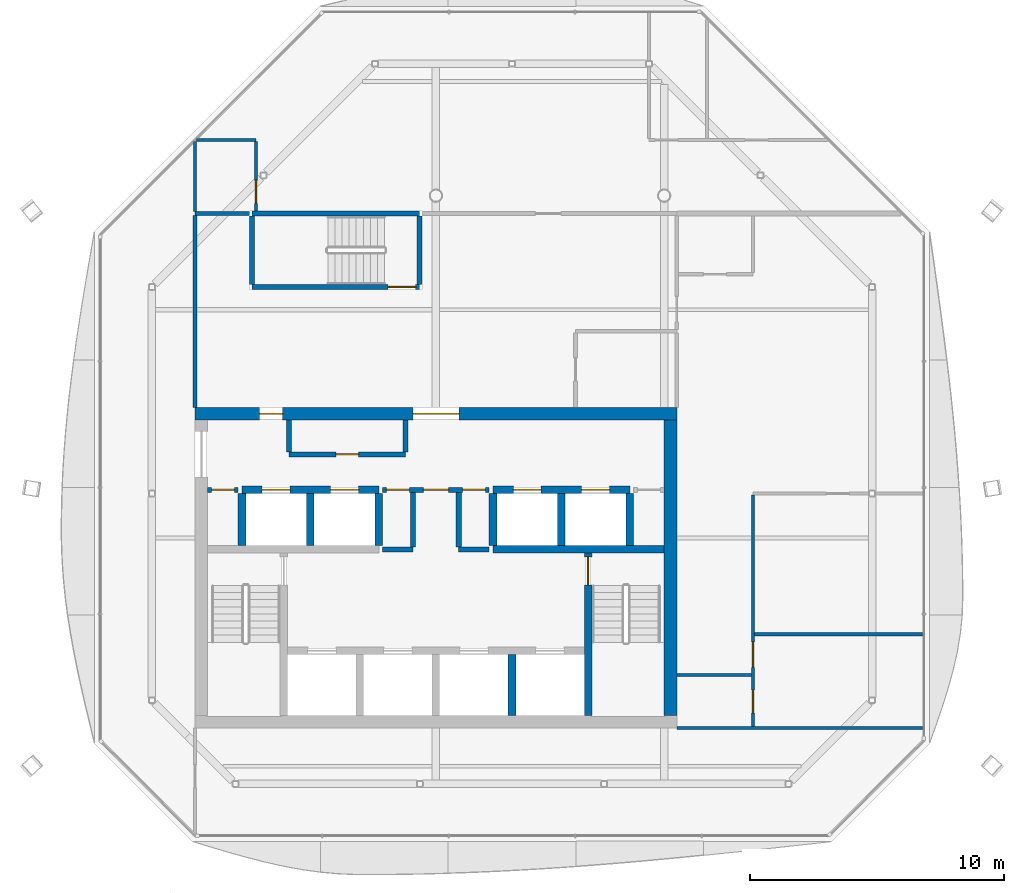
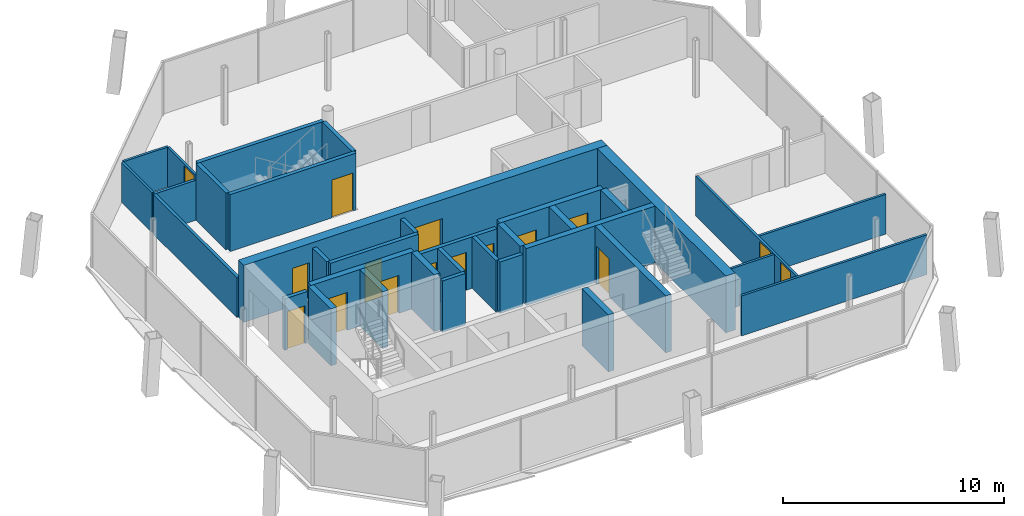
# One storey, part 10 of 14: 35 walls, 16 doors, 16 openings.
"""IFC4 building model written with IfcOpenShell, lengths in metres."""

from ifc_helpers import new_model, si_unit, direction, frame, frame_2d, origin, place, context, subcontext, project, spatial, rectangle, extrude, material, layer, layer_set, type_object, element, fill, save


model = new_model("IFC4")

# Units and contexts
model_context = context("Model", 3, precision=1e-05, world=origin(), true_north=direction((0.0, 1.0)))
body_context = subcontext(model_context, "Body", "Model", "MODEL_VIEW")
ifc_project = project(units=[si_unit("LENGTHUNIT", "METRE"), si_unit("AREAUNIT", "SQUARE_METRE"), si_unit("VOLUMEUNIT", "CUBIC_METRE"), si_unit("PLANEANGLEUNIT", "RADIAN"), si_unit("MASSUNIT", "GRAM", prefix="KILO")], contexts=[model_context])

# Site, building, storey
site_placement = place(None, origin())
site = spatial("IfcSite", under=ifc_project, at=site_placement, CompositionType="ELEMENT")
building_placement = place(site_placement, origin())
building = spatial("IfcBuilding", under=site, at=building_placement, Name="Tskaro Facet Tower", CompositionType="ELEMENT")
storey_placement = place(building_placement, frame((0.0, 0.0, 275.25)))
storey = spatial("IfcBuildingStorey", under=building, at=storey_placement, Name="L73", CompositionType="ELEMENT", Elevation=275.25)

# Wall
ifc_material_1 = material(Name="Concrete C60/75", Category="concrete")
ifc_layer_1 = layer(ifc_material_1, 0.300048828125, Name="Concrete C60/75")
ifc_layer_set_1 = layer_set([ifc_layer_1], Name="Concrete C60/75")
wall_type_1 = type_object("IfcWallType", Name="CORE-SHAFT", PredefinedType="SHEAR", material=ifc_layer_set_1)
wall_1_placement = place(storey_placement, frame((2.25, -4.949951171875, 0.0), z_axis=(0.0, 0.0, 1.0), x_axis=(1.0, 0.0, 0.0)))
element("IfcWall", 1, at=wall_1_placement, inside=storey, type_object=wall_type_1, Name="Shaft wall W008", PredefinedType="SHEAR", context=body_context, shape_type="SweptSolid", body=[
    extrude(rectangle(XDim=6.75, YDim=0.300048828125, at=frame_2d((3.375, 0.0))), origin(), (0.0, 0.0, 1.0), 3.14990234375),
])

# Wall, openings, doors
wall_2_placement = place(storey_placement, frame((-7.64990234375, -2.60009765625, 0.0), z_axis=(0.0, 0.0, 1.0), x_axis=(1.0, 0.0, 0.0)))
wall_2 = element("IfcWall", 2, at=wall_2_placement, inside=storey, type_object=wall_type_1, Name="Shaft wall W012", PredefinedType="SHEAR", context=body_context, shape_type="SweptSolid", body=[
    extrude(rectangle(XDim=5.39990234375, YDim=0.300048828125, at=frame_2d((2.699951171875, 0.0))), origin(), (0.0, 0.0, 1.0), 3.14990234375),
])
opening_1_placement = place(wall_2_placement, frame((0.800048828125, 0.0, 0.0)))
opening_1 = element("IfcOpeningElement", 3, at=opening_1_placement, cuts=wall_2, Name="Opening LD-HB1", PredefinedType="OPENING", context=body_context, shape_type="SweptSolid", body=[
    extrude(rectangle(XDim=1.10009765625, YDim=2.10009765625, at=frame_2d((0.550048828125, 1.050048828125))), frame((0.0, 0.159912109375, 0.0), z_axis=(0.0, -1.0, 0.0), x_axis=(1.0, 0.0, 0.0)), (0.0, 0.0, 1.0), 0.320068359375),
])
opening_2_placement = place(wall_2_placement, frame((3.5, 0.0, 0.0)))
opening_2 = element("IfcOpeningElement", 4, at=opening_2_placement, cuts=wall_2, Name="Opening LD-HB2", PredefinedType="OPENING", context=body_context, shape_type="SweptSolid", body=[
    extrude(rectangle(XDim=1.10009765625, YDim=2.10009765625, at=frame_2d((0.550048828125, 1.050048828125))), frame((0.0, 0.159912109375, 0.0), z_axis=(0.0, -1.0, 0.0), x_axis=(1.0, 0.0, 0.0)), (0.0, 0.0, 1.0), 0.320068359375),
])
ifc_material_2 = material(Name="Stainless steel", Category="steel")
door_type_1 = type_object("IfcDoorType", Name="D-LANDING", OperationType="NOTDEFINED", PredefinedType="DOOR", material=ifc_material_2)
door_1_placement = place(opening_1_placement, origin())
door_1 = element("IfcDoor", 5, at=door_1_placement, inside=storey, type_object=door_type_1, Name="Landing door HB1", OperationType="DOUBLE_DOOR_SLIDING", OverallHeight=2.10009765625, OverallWidth=1.10009765625, PredefinedType="DOOR", context=body_context, shape_type="SweptSolid", body=[
    extrude(rectangle(XDim=1.10009765625, YDim=2.10009765625, at=frame_2d((0.550048828125, 1.050048828125))), frame((0.0, 0.02490234375, 0.0), z_axis=(0.0, -1.0, 0.0), x_axis=(1.0, 0.0, 0.0)), (0.0, 0.0, 1.0), 0.050048828125),
])
fill(opening_1, door_1)
door_2_placement = place(opening_2_placement, origin())
door_2 = element("IfcDoor", 6, at=door_2_placement, inside=storey, type_object=door_type_1, Name="Landing door HB2", OperationType="DOUBLE_DOOR_SLIDING", OverallHeight=2.10009765625, OverallWidth=1.10009765625, PredefinedType="DOOR", context=body_context, shape_type="SweptSolid", body=[
    extrude(rectangle(XDim=1.10009765625, YDim=2.10009765625, at=frame_2d((0.550048828125, 1.050048828125))), frame((0.0, 0.02490234375, 0.0), z_axis=(0.0, -1.0, 0.0), x_axis=(1.0, 0.0, 0.0)), (0.0, 0.0, 1.0), 0.050048828125),
])
fill(opening_2, door_2)

wall_3_placement = place(storey_placement, frame((2.25, -2.60009765625, 0.0), z_axis=(0.0, 0.0, 1.0), x_axis=(1.0, 0.0, 0.0)))
wall_3 = element("IfcWall", 7, at=wall_3_placement, inside=storey, type_object=wall_type_1, Name="Shaft wall W014", PredefinedType="SHEAR", context=body_context, shape_type="SweptSolid", body=[
    extrude(rectangle(XDim=5.39990234375, YDim=0.300048828125, at=frame_2d((2.699951171875, 0.0))), origin(), (0.0, 0.0, 1.0), 3.14990234375),
])
opening_3_placement = place(wall_3_placement, frame((0.800048828125, 0.0, 0.0)))
opening_3 = element("IfcOpeningElement", 8, at=opening_3_placement, cuts=wall_3, Name="Opening LD-HB3", PredefinedType="OPENING", context=body_context, shape_type="SweptSolid", body=[
    extrude(rectangle(XDim=1.10009765625, YDim=2.10009765625, at=frame_2d((0.550048828125, 1.050048828125))), frame((0.0, 0.159912109375, 0.0), z_axis=(0.0, -1.0, 0.0), x_axis=(1.0, 0.0, 0.0)), (0.0, 0.0, 1.0), 0.320068359375),
])
opening_4_placement = place(wall_3_placement, frame((3.5, 0.0, 0.0)))
opening_4 = element("IfcOpeningElement", 9, at=opening_4_placement, cuts=wall_3, Name="Opening LD-HB4", PredefinedType="OPENING", context=body_context, shape_type="SweptSolid", body=[
    extrude(rectangle(XDim=1.10009765625, YDim=2.10009765625, at=frame_2d((0.550048828125, 1.050048828125))), frame((0.0, 0.159912109375, 0.0), z_axis=(0.0, -1.0, 0.0), x_axis=(1.0, 0.0, 0.0)), (0.0, 0.0, 1.0), 0.320068359375),
])
door_3_placement = place(opening_3_placement, origin())
door_3 = element("IfcDoor", 10, at=door_3_placement, inside=storey, type_object=door_type_1, Name="Landing door HB3", OperationType="DOUBLE_DOOR_SLIDING", OverallHeight=2.10009765625, OverallWidth=1.10009765625, PredefinedType="DOOR", context=body_context, shape_type="SweptSolid", body=[
    extrude(rectangle(XDim=1.10009765625, YDim=2.10009765625, at=frame_2d((0.550048828125, 1.050048828125))), frame((0.0, 0.02490234375, 0.0), z_axis=(0.0, -1.0, 0.0), x_axis=(1.0, 0.0, 0.0)), (0.0, 0.0, 1.0), 0.050048828125),
])
fill(opening_3, door_3)
door_4_placement = place(opening_4_placement, origin())
door_4 = element("IfcDoor", 11, at=door_4_placement, inside=storey, type_object=door_type_1, Name="Landing door HB4", OperationType="DOUBLE_DOOR_SLIDING", OverallHeight=2.10009765625, OverallWidth=1.10009765625, PredefinedType="DOOR", context=body_context, shape_type="SweptSolid", body=[
    extrude(rectangle(XDim=1.10009765625, YDim=2.10009765625, at=frame_2d((0.550048828125, 1.050048828125))), frame((0.0, 0.02490234375, 0.0), z_axis=(0.0, -1.0, 0.0), x_axis=(1.0, 0.0, 0.0)), (0.0, 0.0, 1.0), 0.050048828125),
])
fill(opening_4, door_4)

# Walls
for number, where, z_axis, x_axis, name in (
    (12, (-7.64990234375, -4.800048828125, 0.0), (0.0, 0.0, 1.0), (0.0, 1.0, 0.0), "Shaft wall W029"),
    (13, (-4.949951171875, -4.800048828125, 0.0), (0.0, 0.0, 1.0), (0.0, 1.0, 0.0), "Shaft wall W034"),
    (14, (-2.25, -4.800048828125, 0.0), (0.0, 0.0, 1.0), (0.0, 1.0, 0.0), "Shaft wall W036"),
    (15, (2.25, -4.800048828125, 0.0), (0.0, 0.0, 1.0), (0.0, 1.0, 0.0), "Shaft wall W042"),
):
    element("IfcWall", number, at=place(storey_placement, frame(where, z_axis=z_axis, x_axis=x_axis)), inside=storey, type_object=wall_type_1, Name=name, PredefinedType="SHEAR", context=body_context, shape_type="SweptSolid", body=[
        extrude(rectangle(XDim=2.050048828125, YDim=0.300048828125, at=frame_2d((1.02490234375, 0.0))), origin(), (0.0, 0.0, 1.0), 3.14990234375),
    ])
wall_4_placement = place(storey_placement, frame((3.0, -11.5, 0.0), z_axis=(0.0, 0.0, 1.0), x_axis=(0.0, 1.0, 0.0)))
element("IfcWall", 16, at=wall_4_placement, inside=storey, type_object=wall_type_1, Name="Shaft wall W043", PredefinedType="SHEAR", context=body_context, shape_type="SweptSolid", body=[
    extrude(rectangle(XDim=2.39990234375, YDim=0.300048828125, at=frame_2d((1.199951171875, 0.0))), origin(), (0.0, 0.0, 1.0), 3.14990234375),
])
wall_5_placement = place(storey_placement, frame((4.949951171875, -4.800048828125, 0.0), z_axis=(0.0, 0.0, 1.0), x_axis=(0.0, 1.0, 0.0)))
element("IfcWall", 17, at=wall_5_placement, inside=storey, type_object=wall_type_1, Name="Shaft wall W044", PredefinedType="SHEAR", context=body_context, shape_type="SweptSolid", body=[
    extrude(rectangle(XDim=2.050048828125, YDim=0.300048828125, at=frame_2d((1.02490234375, 0.0))), origin(), (0.0, 0.0, 1.0), 3.14990234375),
])

# Wall, opening, door
wall_6_placement = place(storey_placement, frame((6.0, -5.10009765625, 0.0), z_axis=(0.0, 0.0, 1.0), x_axis=(0.0, -1.0, 0.0)))
wall_6 = element("IfcWall", 18, at=wall_6_placement, inside=storey, type_object=wall_type_1, Name="Shaft wall W046", PredefinedType="SHEAR", context=body_context, shape_type="SweptSolid", body=[
    extrude(rectangle(XDim=6.39990234375, YDim=0.300048828125, at=frame_2d((3.199951171875, 0.0))), origin(), (0.0, 0.0, 1.0), 3.14990234375),
])
opening_5_placement = place(wall_6_placement, frame((0.14990234375, 0.0, 0.0)))
opening_5 = element("IfcOpeningElement", 19, at=opening_5_placement, cuts=wall_6, Name="Opening ST-2-D1", PredefinedType="OPENING", context=body_context, shape_type="SweptSolid", body=[
    extrude(rectangle(XDim=1.10009765625, YDim=2.10009765625, at=frame_2d((0.550048828125, 1.050048828125))), frame((0.0, 0.159912109375, 0.0), z_axis=(0.0, -1.0, 0.0), x_axis=(1.0, 0.0, 0.0)), (0.0, 0.0, 1.0), 0.320068359375),
])
ifc_material_3 = material(Name="Steel", Category="steel")
door_type_2 = type_object("IfcDoorType", Name="D-STAIR", OperationType="NOTDEFINED", PredefinedType="DOOR", material=ifc_material_3)
door_5_placement = place(opening_5_placement, origin())
door_5 = element("IfcDoor", 20, at=door_5_placement, inside=storey, type_object=door_type_2, Name="Stair door 2", OperationType="SINGLE_SWING_RIGHT", OverallHeight=2.10009765625, OverallWidth=1.10009765625, PredefinedType="DOOR", context=body_context, shape_type="SweptSolid", body=[
    extrude(rectangle(XDim=1.10009765625, YDim=2.10009765625, at=frame_2d((0.550048828125, 1.050048828125))), frame((0.0, 0.02490234375, 0.0), z_axis=(0.0, -1.0, 0.0), x_axis=(1.0, 0.0, 0.0)), (0.0, 0.0, 1.0), 0.050048828125),
])
fill(opening_5, door_5)

# Walls
wall_7_placement = place(storey_placement, frame((7.64990234375, -4.800048828125, 0.0), z_axis=(0.0, 0.0, 1.0), x_axis=(0.0, 1.0, 0.0)))
element("IfcWall", 21, at=wall_7_placement, inside=storey, type_object=wall_type_1, Name="Shaft wall W047", PredefinedType="SHEAR", context=body_context, shape_type="SweptSolid", body=[
    extrude(rectangle(XDim=2.050048828125, YDim=0.300048828125, at=frame_2d((1.02490234375, 0.0))), origin(), (0.0, 0.0, 1.0), 3.14990234375),
])
ifc_material_4 = material(Name="Concrete C20/25", Category="concrete")
ifc_layer_2 = layer(ifc_material_4, 0.199951171875, Name="Concrete C20/25")
ifc_layer_set_2 = layer_set([ifc_layer_2], Name="Concrete C20/25")
wall_type_2 = type_object("IfcWallType", Name="CORE-WALL", PredefinedType="SOLIDWALL", material=ifc_layer_set_2)
for number, where, z_axis, x_axis, name in (
    (22, (-2.10009765625, -4.949951171875, 0.0), (0.0, 0.0, 1.0), (1.0, 0.0, 0.0), "Core room wall W006"),
    (23, (0.89990234375, -4.949951171875, 0.0), (0.0, 0.0, 1.0), (1.0, 0.0, 0.0), "Core room wall W007"),
):
    element("IfcWall", number, at=place(storey_placement, frame(where, z_axis=z_axis, x_axis=x_axis)), inside=storey, type_object=wall_type_2, Name=name, PredefinedType="SOLIDWALL", context=body_context, shape_type="SweptSolid", body=[
        extrude(rectangle(XDim=1.2001953125, YDim=0.199951171875, at=frame_2d((0.60009765625, 0.0))), origin(), (0.0, 0.0, 1.0), 2.85009765625),
    ])

# Wall, opening, door
wall_8_placement = place(storey_placement, frame((-7.800048828125, -2.60009765625, 0.0), z_axis=(0.0, 0.0, 1.0), x_axis=(-1.0, 0.0, 0.0)))
wall_8 = element("IfcWall", 24, at=wall_8_placement, inside=storey, type_object=wall_type_2, Name="Core room wall W011", PredefinedType="SOLIDWALL", context=body_context, shape_type="SweptSolid", body=[
    extrude(rectangle(XDim=1.199951171875, YDim=0.199951171875, at=frame_2d((0.60009765625, 0.0))), origin(), (0.0, 0.0, 1.0), 2.85009765625),
])
opening_6_placement = place(wall_8_placement, frame((0.14990234375, 0.0, 0.0)))
opening_6 = element("IfcOpeningElement", 25, at=opening_6_placement, cuts=wall_8, Name="Opening T21-D05", PredefinedType="OPENING", context=body_context, shape_type="SweptSolid", body=[
    extrude(rectangle(XDim=0.89990234375, YDim=2.10009765625, at=frame_2d((0.449951171875, 1.050048828125))), frame((0.0, 0.10986328125, 0.0), z_axis=(0.0, -1.0, 0.0), x_axis=(1.0, 0.0, 0.0)), (0.0, 0.0, 1.0), 0.219970703125),
])
ifc_material_5 = material(Name="Timber", Category="wood")
door_type_3 = type_object("IfcDoorType", Name="D-ROOM", OperationType="NOTDEFINED", PredefinedType="DOOR", material=ifc_material_5)
door_6_placement = place(opening_6_placement, origin())
door_6 = element("IfcDoor", 26, at=door_6_placement, inside=storey, type_object=door_type_3, Name="Door T21-D05", OperationType="SINGLE_SWING_RIGHT", OverallHeight=2.10009765625, OverallWidth=0.89990234375, PredefinedType="DOOR", context=body_context, shape_type="SweptSolid", body=[
    extrude(rectangle(XDim=0.89990234375, YDim=2.10009765625, at=frame_2d((0.449951171875, 1.050048828125))), frame((0.0, 0.02490234375, 0.0), z_axis=(0.0, -1.0, 0.0), x_axis=(1.0, 0.0, 0.0)), (0.0, 0.0, 1.0), 0.050048828125),
])
fill(opening_6, door_6)

# Wall, openings, doors
wall_9_placement = place(storey_placement, frame((2.10009765625, -2.60009765625, 0.0), z_axis=(0.0, 0.0, 1.0), x_axis=(-1.0, 0.0, 0.0)))
wall_9 = element("IfcWall", 27, at=wall_9_placement, inside=storey, type_object=wall_type_2, Name="Core room wall W013", PredefinedType="SOLIDWALL", context=body_context, shape_type="SweptSolid", body=[
    extrude(rectangle(XDim=4.2001953125, YDim=0.199951171875, at=frame_2d((2.10009765625, 0.0))), origin(), (0.0, 0.0, 1.0), 2.85009765625),
])
opening_7_placement = place(wall_9_placement, frame((1.60009765625, 0.0, 0.0)))
opening_7 = element("IfcOpeningElement", 28, at=opening_7_placement, cuts=wall_9, Name="Opening FL-D1", PredefinedType="OPENING", context=body_context, shape_type="SweptSolid", body=[
    extrude(rectangle(XDim=1.0, YDim=2.10009765625, at=frame_2d((0.5, 1.050048828125))), frame((0.0, 0.10986328125, 0.0), z_axis=(0.0, -1.0, 0.0), x_axis=(1.0, 0.0, 0.0)), (0.0, 0.0, 1.0), 0.219970703125),
])
opening_8_placement = place(wall_9_placement, frame((3.14990234375, 0.0, 0.0)))
opening_8 = element("IfcOpeningElement", 29, at=opening_8_placement, cuts=wall_9, Name="Opening T21-D06", PredefinedType="OPENING", context=body_context, shape_type="SweptSolid", body=[
    extrude(rectangle(XDim=0.89990234375, YDim=2.10009765625, at=frame_2d((0.449951171875, 1.050048828125))), frame((0.0, 0.10986328125, 0.0), z_axis=(0.0, -1.0, 0.0), x_axis=(1.0, 0.0, 0.0)), (0.0, 0.0, 1.0), 0.219970703125),
])
opening_9_placement = place(wall_9_placement, frame((0.14990234375, 0.0, 0.0)))
opening_9 = element("IfcOpeningElement", 30, at=opening_9_placement, cuts=wall_9, Name="Opening T21-D07", PredefinedType="OPENING", context=body_context, shape_type="SweptSolid", body=[
    extrude(rectangle(XDim=0.89990234375, YDim=2.10009765625, at=frame_2d((0.449951171875, 1.050048828125))), frame((0.0, 0.10986328125, 0.0), z_axis=(0.0, -1.0, 0.0), x_axis=(1.0, 0.0, 0.0)), (0.0, 0.0, 1.0), 0.219970703125),
])
door_type_4 = type_object("IfcDoorType", Name="D-LOBBY", OperationType="NOTDEFINED", PredefinedType="DOOR", material=ifc_material_3)
door_7_placement = place(opening_7_placement, origin())
door_7 = element("IfcDoor", 31, at=door_7_placement, inside=storey, type_object=door_type_4, Name="Lobby door FL", OperationType="SINGLE_SWING_RIGHT", OverallHeight=2.10009765625, OverallWidth=1.0, PredefinedType="DOOR", context=body_context, shape_type="SweptSolid", body=[
    extrude(rectangle(XDim=1.0, YDim=2.10009765625, at=frame_2d((0.5, 1.050048828125))), frame((0.0, 0.02490234375, 0.0), z_axis=(0.0, -1.0, 0.0), x_axis=(1.0, 0.0, 0.0)), (0.0, 0.0, 1.0), 0.050048828125),
])
fill(opening_7, door_7)
door_8_placement = place(opening_8_placement, origin())
door_8 = element("IfcDoor", 32, at=door_8_placement, inside=storey, type_object=door_type_3, Name="Door T21-D06", OperationType="SINGLE_SWING_RIGHT", OverallHeight=2.10009765625, OverallWidth=0.89990234375, PredefinedType="DOOR", context=body_context, shape_type="SweptSolid", body=[
    extrude(rectangle(XDim=0.89990234375, YDim=2.10009765625, at=frame_2d((0.449951171875, 1.050048828125))), frame((0.0, 0.02490234375, 0.0), z_axis=(0.0, -1.0, 0.0), x_axis=(1.0, 0.0, 0.0)), (0.0, 0.0, 1.0), 0.050048828125),
])
fill(opening_8, door_8)
door_9_placement = place(opening_9_placement, origin())
door_9 = element("IfcDoor", 33, at=door_9_placement, inside=storey, type_object=door_type_3, Name="Door T21-D07", OperationType="SINGLE_SWING_RIGHT", OverallHeight=2.10009765625, OverallWidth=0.89990234375, PredefinedType="DOOR", context=body_context, shape_type="SweptSolid", body=[
    extrude(rectangle(XDim=0.89990234375, YDim=2.10009765625, at=frame_2d((0.449951171875, 1.050048828125))), frame((0.0, 0.02490234375, 0.0), z_axis=(0.0, -1.0, 0.0), x_axis=(1.0, 0.0, 0.0)), (0.0, 0.0, 1.0), 0.050048828125),
])
fill(opening_9, door_9)

# Wall, opening, door
wall_10_placement = place(storey_placement, frame((-5.800048828125, -1.199951171875, 0.0), z_axis=(0.0, 0.0, 1.0), x_axis=(1.0, 0.0, 0.0)))
wall_10 = element("IfcWall", 34, at=wall_10_placement, inside=storey, type_object=wall_type_2, Name="Core room wall W016", PredefinedType="SOLIDWALL", context=body_context, shape_type="SweptSolid", body=[
    extrude(rectangle(XDim=4.60009765625, YDim=0.199951171875, at=frame_2d((2.300048828125, 0.0))), origin(), (0.0, 0.0, 1.0), 2.85009765625),
])
opening_10_placement = place(wall_10_placement, frame((1.85009765625, 0.0, 0.0)))
opening_10 = element("IfcOpeningElement", 35, at=opening_10_placement, cuts=wall_10, Name="Opening T21-D10", PredefinedType="OPENING", context=body_context, shape_type="SweptSolid", body=[
    extrude(rectangle(XDim=0.89990234375, YDim=2.10009765625, at=frame_2d((0.449951171875, 1.050048828125))), frame((0.0, 0.10986328125, 0.0), z_axis=(0.0, -1.0, 0.0), x_axis=(1.0, 0.0, 0.0)), (0.0, 0.0, 1.0), 0.219970703125),
])
door_10_placement = place(opening_10_placement, origin())
door_10 = element("IfcDoor", 36, at=door_10_placement, inside=storey, type_object=door_type_3, Name="Door T21-D10", OperationType="SINGLE_SWING_LEFT", OverallHeight=2.10009765625, OverallWidth=0.89990234375, PredefinedType="DOOR", context=body_context, shape_type="SweptSolid", body=[
    extrude(rectangle(XDim=0.89990234375, YDim=2.10009765625, at=frame_2d((0.449951171875, 1.050048828125))), frame((0.0, 0.02490234375, 0.0), z_axis=(0.0, -1.0, 0.0), x_axis=(1.0, 0.0, 0.0)), (0.0, 0.0, 1.0), 0.050048828125),
])
fill(opening_10, door_10)

# Walls
for number, where, z_axis, x_axis, name in (
    (37, (-5.800048828125, -1.10009765625, 0.0), (0.0, 0.0, 1.0), (0.0, 1.0, 0.0), "Core room wall W033"),
    (38, (-1.199951171875, -1.10009765625, 0.0), (0.0, 0.0, 1.0), (0.0, 1.0, 0.0), "Core room wall W037"),
):
    element("IfcWall", number, at=place(storey_placement, frame(where, z_axis=z_axis, x_axis=x_axis)), inside=storey, type_object=wall_type_2, Name=name, PredefinedType="SOLIDWALL", context=body_context, shape_type="SweptSolid", body=[
        extrude(rectangle(XDim=1.25, YDim=0.199951171875, at=frame_2d((0.625, 0.0))), origin(), (0.0, 0.0, 1.0), 2.85009765625),
    ])
for number, where, z_axis, x_axis, name in (
    (39, (-0.89990234375, -4.85009765625, 0.0), (0.0, 0.0, 1.0), (0.0, 1.0, 0.0), "Core room wall W038"),
    (40, (0.89990234375, -4.85009765625, 0.0), (0.0, 0.0, 1.0), (0.0, 1.0, 0.0), "Core room wall W041"),
):
    element("IfcWall", number, at=place(storey_placement, frame(where, z_axis=z_axis, x_axis=x_axis)), inside=storey, type_object=wall_type_2, Name=name, PredefinedType="SOLIDWALL", context=body_context, shape_type="SweptSolid", body=[
        extrude(rectangle(XDim=2.150146484375, YDim=0.199951171875, at=frame_2d((1.0751953125, 0.0))), origin(), (0.0, 0.0, 1.0), 2.85009765625),
    ])

# Wall, openings, doors
ifc_material_6 = material(Name="Concrete C40/50", Category="concrete")
ifc_layer_3 = layer(ifc_material_6, 0.5, Name="Concrete C40/50")
ifc_layer_set_3 = layer_set([ifc_layer_3], Name="Concrete C40/50")
wall_type_3 = type_object("IfcWallType", Name="Core wall 500", PredefinedType="SHEAR", material=ifc_layer_set_3)
wall_11_placement = place(storey_placement, frame((-9.5, 0.39990234375, 0.0), z_axis=(0.0, 0.0, 1.0), x_axis=(1.0, 0.0, 0.0)))
wall_11 = element("IfcWall", 41, at=wall_11_placement, inside=storey, type_object=wall_type_3, Name="Core wall CW-Z3N", PredefinedType="SHEAR", context=body_context, shape_type="SweptSolid", body=[
    extrude(rectangle(XDim=19.0, YDim=0.5, at=frame_2d((9.5, 0.0))), origin(), (0.0, 0.0, 1.0), 3.14990234375),
])
opening_11_placement = place(wall_11_placement, frame((8.60009765625, 0.0, 0.0)))
opening_11 = element("IfcOpeningElement", 42, at=opening_11_placement, cuts=wall_11, Name="Opening T21-D12", PredefinedType="OPENING", context=body_context, shape_type="SweptSolid", body=[
    extrude(rectangle(XDim=1.800048828125, YDim=2.10009765625, at=frame_2d((0.89990234375, 1.050048828125))), frame((0.0, 0.260009765625, 0.0), z_axis=(0.0, -1.0, 0.0), x_axis=(1.0, 0.0, 0.0)), (0.0, 0.0, 1.0), 0.52001953125),
])
opening_12_placement = place(wall_11_placement, frame((2.550048828125, 0.0, 0.0)))
opening_12 = element("IfcOpeningElement", 43, at=opening_12_placement, cuts=wall_11, Name="Opening T21-D11", PredefinedType="OPENING", context=body_context, shape_type="SweptSolid", body=[
    extrude(rectangle(XDim=0.89990234375, YDim=2.10009765625, at=frame_2d((0.449951171875, 1.050048828125))), frame((0.0, 0.260009765625, 0.0), z_axis=(0.0, -1.0, 0.0), x_axis=(1.0, 0.0, 0.0)), (0.0, 0.0, 1.0), 0.52001953125),
])
door_type_5 = type_object("IfcDoorType", Name="D-CORE-PAIR", OperationType="NOTDEFINED", PredefinedType="DOOR", material=ifc_material_3)
door_11_placement = place(opening_11_placement, origin())
door_11 = element("IfcDoor", 44, at=door_11_placement, inside=storey, type_object=door_type_5, Name="Door T21-D12", OperationType="DOUBLE_DOOR_SINGLE_SWING", OverallHeight=2.10009765625, OverallWidth=1.800048828125, PredefinedType="DOOR", context=body_context, shape_type="SweptSolid", body=[
    extrude(rectangle(XDim=1.800048828125, YDim=2.10009765625, at=frame_2d((0.89990234375, 1.050048828125))), frame((0.0, 0.02490234375, 0.0), z_axis=(0.0, -1.0, 0.0), x_axis=(1.0, 0.0, 0.0)), (0.0, 0.0, 1.0), 0.050048828125),
])
fill(opening_11, door_11)
door_12_placement = place(opening_12_placement, origin())
door_12 = element("IfcDoor", 45, at=door_12_placement, inside=storey, type_object=door_type_3, Name="Door T21-D11", OperationType="SINGLE_SWING_LEFT", OverallHeight=2.10009765625, OverallWidth=0.89990234375, PredefinedType="DOOR", context=body_context, shape_type="SweptSolid", body=[
    extrude(rectangle(XDim=0.89990234375, YDim=2.10009765625, at=frame_2d((0.449951171875, 1.050048828125))), frame((0.0, 0.02490234375, 0.0), z_axis=(0.0, -1.0, 0.0), x_axis=(1.0, 0.0, 0.0)), (0.0, 0.0, 1.0), 0.050048828125),
])
fill(opening_12, door_12)

# Walls
wall_12_placement = place(storey_placement, frame((9.25, -11.5, 0.0), z_axis=(0.0, 0.0, 1.0), x_axis=(0.0, 1.0, 0.0)))
element("IfcWall", 46, at=wall_12_placement, inside=storey, type_object=wall_type_3, Name="Core wall CW-Z3E", PredefinedType="SHEAR", context=body_context, shape_type="SweptSolid", body=[
    extrude(rectangle(XDim=11.64990234375, YDim=0.5, at=frame_2d((5.824951171875, 0.0))), origin(), (0.0, 0.0, 1.0), 3.14990234375),
])
ifc_material_7 = material(Name="Gypsum board on steel studs", Category="steel")
ifc_layer_4 = layer(ifc_material_7, 0.125, Name="Gypsum board on steel studs")
ifc_layer_set_4 = layer_set([ifc_layer_4], Name="Gypsum board on steel studs")
wall_type_4 = type_object("IfcWallType", Name="PART", PredefinedType="PARTITIONING", material=ifc_layer_set_4)
wall_13_placement = place(storey_placement, frame((9.5, -12.0, 0.0), z_axis=(0.0, 0.0, 1.0), x_axis=(1.0, 0.0, 0.0)))
element("IfcWall", 47, at=wall_13_placement, inside=storey, type_object=wall_type_4, Name="Partition W001", PredefinedType="PARTITIONING", context=body_context, shape_type="SweptSolid", body=[
    extrude(rectangle(XDim=9.695068359375, YDim=0.125, at=frame_2d((4.84765625, 0.0))), origin(), (0.0, 0.0, 1.0), 2.2099609375),
])
wall_14_placement = place(storey_placement, frame((9.5, -9.89990234375, 0.0), z_axis=(0.0, 0.0, 1.0), x_axis=(1.0, 0.0, 0.0)))
element("IfcWall", 48, at=wall_14_placement, inside=storey, type_object=wall_type_4, Name="Partition W002", PredefinedType="PARTITIONING", context=body_context, shape_type="SweptSolid", body=[
    extrude(rectangle(XDim=2.9375, YDim=0.125, at=frame_2d((1.46875, 0.0))), origin(), (0.0, 0.0, 1.0), 2.2099609375),
])
wall_15_placement = place(storey_placement, frame((12.5625, -8.300048828125, 0.0), z_axis=(0.0, 0.0, 1.0), x_axis=(1.0, 0.0, 0.0)))
element("IfcWall", 49, at=wall_15_placement, inside=storey, type_object=wall_type_4, Name="Partition W004", PredefinedType="PARTITIONING", context=body_context, shape_type="SweptSolid", body=[
    extrude(rectangle(XDim=6.632568359375, YDim=0.125, at=frame_2d((3.31640625, 0.0))), origin(), (0.0, 0.0, 1.0), 2.2099609375),
])
wall_16_placement = place(storey_placement, frame((-9.43310546875, 11.199951171875, 0.0), z_axis=(0.0, 0.0, 1.0), x_axis=(1.0, 0.0, 0.0)))
element("IfcWall", 50, at=wall_16_placement, inside=storey, type_object=wall_type_4, Name="Partition W024", PredefinedType="PARTITIONING", context=body_context, shape_type="SweptSolid", body=[
    extrude(rectangle(XDim=2.3330078125, YDim=0.125, at=frame_2d((1.16650390625, 0.0))), origin(), (0.0, 0.0, 1.0), 2.2099609375),
])
wall_17_placement = place(storey_placement, frame((-9.5, 8.375, 0.0), z_axis=(0.0, 0.0, 1.0), x_axis=(0.0, 1.0, 0.0)))
element("IfcWall", 51, at=wall_17_placement, inside=storey, type_object=wall_type_4, Name="Partition W028", PredefinedType="PARTITIONING", context=body_context, shape_type="SweptSolid", body=[
    extrude(rectangle(XDim=2.758056640625, YDim=0.125, at=frame_2d((1.37890625, 0.0))), origin(), (0.0, 0.0, 1.0), 2.2099609375),
])

# Wall, opening, door
wall_18_placement = place(storey_placement, frame((-7.10009765625, 8.39990234375, 0.0), z_axis=(0.0, 0.0, 1.0), x_axis=(0.0, 1.0, 0.0)))
wall_18 = element("IfcWall", 52, at=wall_18_placement, inside=storey, type_object=wall_type_4, Name="Partition W031", PredefinedType="PARTITIONING", context=body_context, shape_type="SweptSolid", body=[
    extrude(rectangle(XDim=2.737548828125, YDim=0.125, at=frame_2d((1.36865234375, 0.0))), origin(), (0.0, 0.0, 1.0), 2.2099609375),
])
opening_13_placement = place(wall_18_placement, frame((0.300048828125, 0.0, 0.0)))
opening_13 = element("IfcOpeningElement", 53, at=opening_13_placement, cuts=wall_18, Name="Opening T21-D17", PredefinedType="OPENING", context=body_context, shape_type="SweptSolid", body=[
    extrude(rectangle(XDim=0.89990234375, YDim=2.10009765625, at=frame_2d((0.449951171875, 1.050048828125))), frame((0.0, 0.072509765625, 0.0), z_axis=(0.0, -1.0, 0.0), x_axis=(1.0, 0.0, 0.0)), (0.0, 0.0, 1.0), 0.14501953125),
])
door_13_placement = place(opening_13_placement, origin())
door_13 = element("IfcDoor", 54, at=door_13_placement, inside=storey, type_object=door_type_3, Name="Door T21-D17", OperationType="SINGLE_SWING_LEFT", OverallHeight=2.10009765625, OverallWidth=0.89990234375, PredefinedType="DOOR", context=body_context, shape_type="SweptSolid", body=[
    extrude(rectangle(XDim=0.89990234375, YDim=2.10009765625, at=frame_2d((0.449951171875, 1.050048828125))), frame((0.0, 0.02490234375, 0.0), z_axis=(0.0, -1.0, 0.0), x_axis=(1.0, 0.0, 0.0)), (0.0, 0.0, 1.0), 0.050048828125),
])
fill(opening_13, door_13)

# Wall, openings, doors
wall_19_placement = place(storey_placement, frame((12.5, -2.8125, 0.0), z_axis=(0.0, 0.0, 1.0), x_axis=(0.0, -1.0, 0.0)))
wall_19 = element("IfcWall", 55, at=wall_19_placement, inside=storey, type_object=wall_type_4, Name="Partition W053", PredefinedType="PARTITIONING", context=body_context, shape_type="SweptSolid", body=[
    extrude(rectangle(XDim=9.125, YDim=0.125, at=frame_2d((4.5625, 0.0))), origin(), (0.0, 0.0, 1.0), 2.2099609375),
])
opening_14_placement = place(wall_19_placement, frame((5.78759765625, 0.0, 0.0)))
opening_14 = element("IfcOpeningElement", 56, at=opening_14_placement, cuts=wall_19, Name="Opening T21-D03", PredefinedType="OPENING", context=body_context, shape_type="SweptSolid", body=[
    extrude(rectangle(XDim=1.0, YDim=2.10009765625, at=frame_2d((0.5, 1.050048828125))), frame((0.0, 0.072509765625, 0.0), z_axis=(0.0, -1.0, 0.0), x_axis=(1.0, 0.0, 0.0)), (0.0, 0.0, 1.0), 0.14501953125),
])
opening_15_placement = place(wall_19_placement, frame((7.6875, 0.0, 0.0)))
opening_15 = element("IfcOpeningElement", 57, at=opening_15_placement, cuts=wall_19, Name="Opening T21-D02", PredefinedType="OPENING", context=body_context, shape_type="SweptSolid", body=[
    extrude(rectangle(XDim=0.89990234375, YDim=2.10009765625, at=frame_2d((0.449951171875, 1.050048828125))), frame((0.0, 0.072509765625, 0.0), z_axis=(0.0, -1.0, 0.0), x_axis=(1.0, 0.0, 0.0)), (0.0, 0.0, 1.0), 0.14501953125),
])
door_14_placement = place(opening_15_placement, origin())
door_14 = element("IfcDoor", 58, at=door_14_placement, inside=storey, type_object=door_type_3, Name="Door T21-D02", OperationType="SINGLE_SWING_LEFT", OverallHeight=2.10009765625, OverallWidth=0.89990234375, PredefinedType="DOOR", context=body_context, shape_type="SweptSolid", body=[
    extrude(rectangle(XDim=0.89990234375, YDim=2.10009765625, at=frame_2d((0.449951171875, 1.050048828125))), frame((0.0, 0.02490234375, 0.0), z_axis=(0.0, -1.0, 0.0), x_axis=(1.0, 0.0, 0.0)), (0.0, 0.0, 1.0), 0.050048828125),
])
fill(opening_15, door_14)
door_type_6 = type_object("IfcDoorType", Name="D-ROOM-WIDE", OperationType="NOTDEFINED", PredefinedType="DOOR", material=ifc_material_5)
door_15_placement = place(opening_14_placement, origin())
door_15 = element("IfcDoor", 59, at=door_15_placement, inside=storey, type_object=door_type_6, Name="Door T21-D03", OperationType="SINGLE_SWING_RIGHT", OverallHeight=2.10009765625, OverallWidth=1.0, PredefinedType="DOOR", context=body_context, shape_type="SweptSolid", body=[
    extrude(rectangle(XDim=1.0, YDim=2.10009765625, at=frame_2d((0.5, 1.050048828125))), frame((0.0, 0.02490234375, 0.0), z_axis=(0.0, -1.0, 0.0), x_axis=(1.0, 0.0, 0.0)), (0.0, 0.0, 1.0), 0.050048828125),
])
fill(opening_14, door_15)

# Walls
ifc_layer_5 = layer(ifc_material_7, 0.14990234375, Name="Gypsum board on steel studs")
ifc_layer_set_5 = layer_set([ifc_layer_5], Name="Gypsum board on steel studs")
wall_type_5 = type_object("IfcWallType", Name="PART-CORR", PredefinedType="PARTITIONING", material=ifc_layer_set_5)
wall_20_placement = place(storey_placement, frame((-9.5, 8.300048828125, 0.0), z_axis=(0.0, 0.0, 1.0), x_axis=(1.0, 0.0, 0.0)))
element("IfcWall", 60, at=wall_20_placement, inside=storey, type_object=wall_type_5, Name="Corridor wall W020", PredefinedType="PARTITIONING", context=body_context, shape_type="SweptSolid", body=[
    extrude(rectangle(XDim=2.14990234375, YDim=0.14990234375, at=frame_2d((1.074951171875, 0.0))), origin(), (0.0, 0.0, 1.0), 2.2099609375),
])
wall_21_placement = place(storey_placement, frame((-9.5, 0.64990234375, 0.0), z_axis=(0.0, 0.0, 1.0), x_axis=(0.0, 1.0, 0.0)))
element("IfcWall", 61, at=wall_21_placement, inside=storey, type_object=wall_type_5, Name="Corridor wall W027", PredefinedType="PARTITIONING", context=body_context, shape_type="SweptSolid", body=[
    extrude(rectangle(XDim=7.5751953125, YDim=0.14990234375, at=frame_2d((3.78759765625, 0.0))), origin(), (0.0, 0.0, 1.0), 2.2099609375),
])

# Wall, opening, door
ifc_layer_6 = layer(ifc_material_1, 0.199951171875, Name="Concrete C60/75")
ifc_layer_set_6 = layer_set([ifc_layer_6], Name="Concrete C60/75")
wall_type_6 = type_object("IfcWallType", Name="STAIR-WALL", PredefinedType="SHEAR", material=ifc_layer_set_6)
wall_22_placement = place(storey_placement, frame((-7.25, 5.39990234375, 0.0), z_axis=(0.0, 0.0, 1.0), x_axis=(1.0, 0.0, 0.0)))
wall_22 = element("IfcWall", 62, at=wall_22_placement, inside=storey, type_object=wall_type_6, Name="Stair wall W018", PredefinedType="SHEAR", context=body_context, shape_type="SweptSolid", body=[
    extrude(rectangle(XDim=6.60009765625, YDim=0.199951171875, at=frame_2d((3.300048828125, 0.0))), origin(), (0.0, 0.0, 1.0), 3.14990234375),
])
opening_16_placement = place(wall_22_placement, frame((5.35009765625, 0.0, 0.0)))
opening_16 = element("IfcOpeningElement", 63, at=opening_16_placement, cuts=wall_22, Name="Opening ST-3-D1", PredefinedType="OPENING", context=body_context, shape_type="SweptSolid", body=[
    extrude(rectangle(XDim=1.10009765625, YDim=2.10009765625, at=frame_2d((0.550048828125, 1.050048828125))), frame((0.0, 0.10986328125, 0.0), z_axis=(0.0, -1.0, 0.0), x_axis=(1.0, 0.0, 0.0)), (0.0, 0.0, 1.0), 0.219970703125),
])
door_16_placement = place(opening_16_placement, origin())
door_16 = element("IfcDoor", 64, at=door_16_placement, inside=storey, type_object=door_type_2, Name="Stair door 3", OperationType="SINGLE_SWING_LEFT", OverallHeight=2.10009765625, OverallWidth=1.10009765625, PredefinedType="DOOR", context=body_context, shape_type="SweptSolid", body=[
    extrude(rectangle(XDim=1.10009765625, YDim=2.10009765625, at=frame_2d((0.550048828125, 1.050048828125))), frame((0.0, 0.02490234375, 0.0), z_axis=(0.0, -1.0, 0.0), x_axis=(1.0, 0.0, 0.0)), (0.0, 0.0, 1.0), 0.050048828125),
])
fill(opening_16, door_16)

# Walls
wall_23_placement = place(storey_placement, frame((-7.25, 8.300048828125, 0.0), z_axis=(0.0, 0.0, 1.0), x_axis=(1.0, 0.0, 0.0)))
element("IfcWall", 65, at=wall_23_placement, inside=storey, type_object=wall_type_6, Name="Stair wall W021", PredefinedType="SHEAR", context=body_context, shape_type="SweptSolid", body=[
    extrude(rectangle(XDim=6.60009765625, YDim=0.199951171875, at=frame_2d((3.300048828125, 0.0))), origin(), (0.0, 0.0, 1.0), 3.14990234375),
])
for number, where, z_axis, x_axis, name in (
    (66, (-7.25, 5.5, 0.0), (0.0, 0.0, 1.0), (0.0, 1.0, 0.0), "Stair wall W030"),
    (67, (-0.64990234375, 5.5, 0.0), (0.0, 0.0, 1.0), (0.0, 1.0, 0.0), "Stair wall W039"),
):
    element("IfcWall", number, at=place(storey_placement, frame(where, z_axis=z_axis, x_axis=x_axis)), inside=storey, type_object=wall_type_6, Name=name, PredefinedType="SHEAR", context=body_context, shape_type="SweptSolid", body=[
        extrude(rectangle(XDim=2.699951171875, YDim=0.199951171875, at=frame_2d((1.35009765625, 0.0))), origin(), (0.0, 0.0, 1.0), 3.14990234375),
    ])

save(model, "model.ifc")
